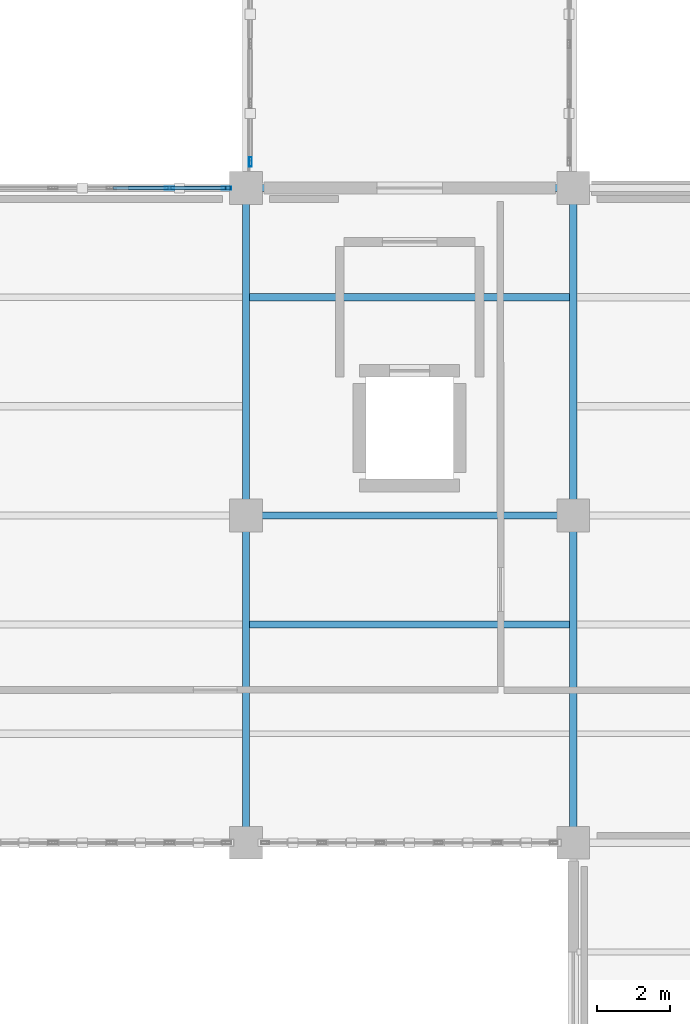
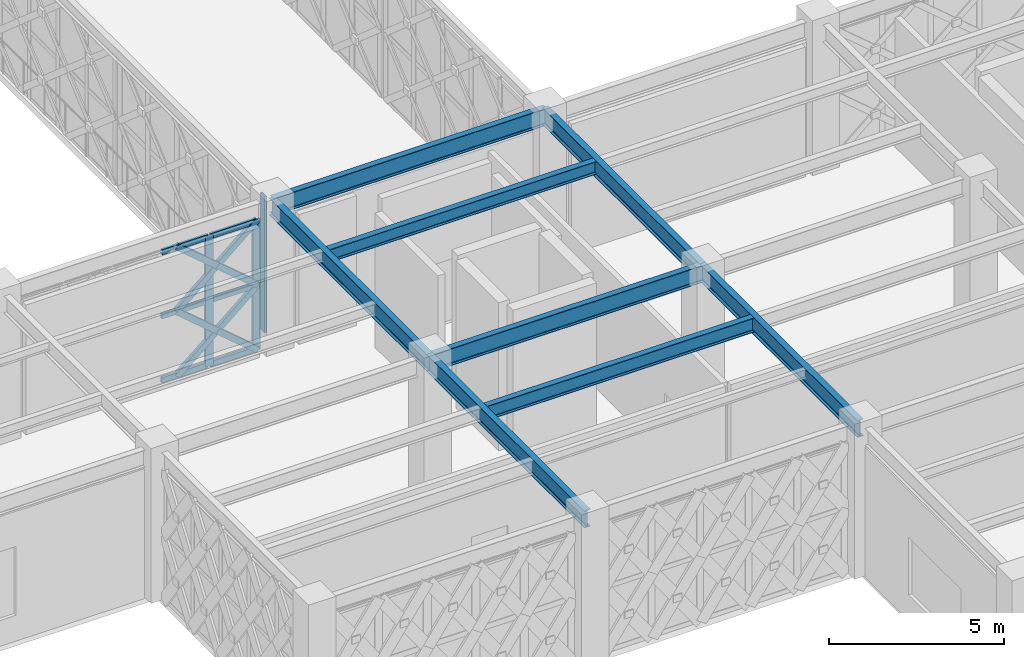
# One storey, part 17 of 166: 15 members, 8 beams, 2 elements without a shape of their own.
"""IFC4 building model written with IfcOpenShell, lengths in metres."""

from ifc_helpers import new_model, si_unit, direction, frame, origin, origin_2d, place, context, subcontext, project, spatial, hollow_rectangle, i_section, extrude, material, material_profile, profile_set, type_object, element, aggregate, save


model = new_model("IFC4")

# Units and contexts
model_context = context("Model", 3, precision=1e-05, world=origin(), true_north=direction((0.0, 1.0)))
body_context = subcontext(model_context, "Body", "Model", "MODEL_VIEW")
ifc_project = project(units=[si_unit("LENGTHUNIT", "METRE"), si_unit("AREAUNIT", "SQUARE_METRE"), si_unit("VOLUMEUNIT", "CUBIC_METRE"), si_unit("PLANEANGLEUNIT", "RADIAN"), si_unit("MASSUNIT", "GRAM", prefix="KILO")], contexts=[model_context])

# Site, building, storey
site_placement = place(None, origin())
site = spatial("IfcSite", under=ifc_project, at=site_placement, CompositionType="ELEMENT")
building_placement = place(site_placement, origin())
building = spatial("IfcBuilding", under=site, at=building_placement, Name="Haizhuo Lancet Aquarium", CompositionType="ELEMENT")
storey_placement = place(building_placement, frame((0.0, 0.0, 5.39990234375)))
storey = spatial("IfcBuildingStorey", under=building, at=storey_placement, Name="L01", CompositionType="ELEMENT", Elevation=5.39990234375)

# Beams
ifc_material_1 = material(Name="Steel S355", Category="steel")
ifc_material_profile_1 = material_profile(ifc_material_1, i_section(OverallWidth=0.199951171875, OverallDepth=0.60009765625, WebThickness=0.010986328125, FlangeThickness=0.01708984375, FilletRadius=0.02197265625, at=origin_2d()), Name="HN 600x200x11x17")
ifc_profile_set_1 = profile_set([ifc_material_profile_1], Name="Steel S355")
beam_type_1 = type_object("IfcBeamType", Name="BM-ST-HN600", PredefinedType="BEAM", material=ifc_profile_set_1)
for number, where, z_axis, x_axis, name in (
    (1, (-63.0, -27.0, 4.840087890625), (0.0, 1.0, 0.0), (-1.0, 0.0, 0.0), "L01 V6 primary girder BM-L01-V6-009"),
    (2, (-63.0, -18.0, 4.840087890625), (0.0, 1.0, 0.0), (-1.0, 0.0, 0.0), "L01 V6 primary girder BM-L01-V6-011"),
    (3, (-63.0, -18.0, 4.840087890625), (1.0, 0.0, 0.0), (0.0, 1.0, 0.0), "L01 V6 primary girder BM-L01-V6-012"),
    (4, (-63.0, -9.0, 4.840087890625), (1.0, 0.0, 0.0), (0.0, 1.0, 0.0), "L01 V6 primary girder BM-L01-V6-013"),
    (5, (-54.0, -27.0, 4.840087890625), (0.0, 1.0, 0.0), (-1.0, 0.0, 0.0), "L01 V6 primary girder BM-L01-V6-016"),
    (6, (-54.0, -18.0, 4.840087890625), (0.0, 1.0, 0.0), (-1.0, 0.0, 0.0), "L01 V6 primary girder BM-L01-V6-018"),
):
    element("IfcBeam", number, at=place(storey_placement, frame(where, z_axis=z_axis, x_axis=x_axis)), inside=storey, type_object=beam_type_1, Name=name, PredefinedType="BEAM", context=body_context, shape_type="SweptSolid", body=[
        extrude(i_section(OverallWidth=0.199951171875, OverallDepth=0.60009765625, WebThickness=0.010986328125, FlangeThickness=0.01708984375, FilletRadius=0.02197265625, at=origin_2d()), origin(), (0.0, 0.0, 1.0), 9.0),
    ])

# Curtain wall, members
ifc_material_2 = material(Name="Aluminium 6063-T6", Category="aluminium")
curtain_wall_type_1 = type_object("IfcCurtainWallType", Name="CWO-8010x4540", PredefinedType="NOTDEFINED", material=ifc_material_2)
curtain_wall_1_placement = place(storey_placement, origin())
curtain_wall_1 = element("IfcCurtainWall", 7, at=curtain_wall_1_placement, inside=storey, type_object=curtain_wall_type_1, Name="L01 curtain wall CW-V6-L01-204", PredefinedType="NOTDEFINED")
ifc_material_profile_2 = material_profile(ifc_material_2, hollow_rectangle(XDim=0.080078125, YDim=0.260009765625, WallThickness=0.0048828125, at=origin_2d()), Name="ALU-M 80x260x5")
ifc_profile_set_2 = profile_set([ifc_material_profile_2], Name="Aluminium 6063-T6")
member_type_1 = type_object("IfcMemberType", Name="CW-MUL-3", PredefinedType="MULLION", material=ifc_profile_set_2)
member_1_placement = place(storey_placement, frame((-65.096923828125, -9.0, 0.0), z_axis=(0.0, 0.0, 1.0), x_axis=(0.0, 1.0, 0.0)))
member_1 = element("IfcMember", 8, at=member_1_placement, type_object=member_type_1, Name="CWO-80x45 mullion 5", PredefinedType="MULLION", context=body_context, shape_type="SweptSolid", body=[
    extrude(hollow_rectangle(XDim=0.080078125, YDim=0.260009765625, WallThickness=0.0048828125, at=origin_2d()), origin(), (0.0, 0.0, 1.0), 4.5400390625),
])
member_2_placement = place(storey_placement, frame((-63.534912109375, -9.0, 0.0), z_axis=(0.0, 0.0, 1.0), x_axis=(0.0, 1.0, 0.0)))
member_2 = element("IfcMember", 9, at=member_2_placement, type_object=member_type_1, Name="CWO-80x45 mullion 6", PredefinedType="MULLION", context=body_context, shape_type="SweptSolid", body=[
    extrude(hollow_rectangle(XDim=0.080078125, YDim=0.260009765625, WallThickness=0.0048828125, at=origin_2d()), origin(), (0.0, 0.0, 1.0), 4.5400390625),
])

# Curtain wall, member
curtain_wall_type_2 = type_object("IfcCurtainWallType", Name="CWO-8200x4750", PredefinedType="NOTDEFINED", material=ifc_material_2)
curtain_wall_2_placement = place(storey_placement, origin())
curtain_wall_2 = element("IfcCurtainWall", 10, at=curtain_wall_2_placement, inside=storey, type_object=curtain_wall_type_2, Name="L01 curtain wall CW-SB-01-W1", PredefinedType="NOTDEFINED")
member_3_placement = place(storey_placement, frame((-62.8798828125, -8.280029296875, 0.0), z_axis=(0.0, 0.0, 1.0), x_axis=(-1.0, 0.0, 0.0)))
member_3 = element("IfcMember", 11, at=member_3_placement, type_object=member_type_1, Name="CWO-82x47 mullion 1", PredefinedType="MULLION", context=body_context, shape_type="SweptSolid", body=[
    extrude(hollow_rectangle(XDim=0.080078125, YDim=0.260009765625, WallThickness=0.0048828125, at=origin_2d()), origin(), (0.0, 0.0, 1.0), 4.75),
])
aggregate(curtain_wall_2, [member_3])

# Member
ifc_material_profile_3 = material_profile(ifc_material_2, hollow_rectangle(XDim=0.080078125, YDim=0.18994140625, WallThickness=0.0048828125, at=origin_2d()), Name="ALU-T 80x190x5")
ifc_profile_set_3 = profile_set([ifc_material_profile_3], Name="Aluminium 6063-T6")
member_type_2 = type_object("IfcMemberType", Name="CW-TRN-3", PredefinedType="NOTDEFINED", material=ifc_profile_set_3)
member_4_placement = place(storey_placement, frame((-66.658935546875, -9.0, 0.0400390625), z_axis=(1.0, 0.0, 0.0), x_axis=(0.0, 1.0, 0.0)))
member_4 = element("IfcMember", 12, at=member_4_placement, type_object=member_type_2, Name="CWO-80x45 transom 4.1", ObjectType="TRANSOM", PredefinedType="USERDEFINED", context=body_context, shape_type="SweptSolid", body=[
    extrude(hollow_rectangle(XDim=0.080078125, YDim=0.18994140625, WallThickness=0.0048828125, at=origin_2d()), origin(), (0.0, 0.0, 1.0), 1.52197265625),
])

member_5_placement = place(storey_placement, frame((-66.658935546875, -9.0, 2.27001953125), z_axis=(1.0, 0.0, 0.0), x_axis=(0.0, 1.0, 0.0)))
member_5 = element("IfcMember", 13, at=member_5_placement, type_object=member_type_2, Name="CWO-80x45 transom 4.2", ObjectType="TRANSOM", PredefinedType="USERDEFINED", context=body_context, shape_type="SweptSolid", body=[
    extrude(hollow_rectangle(XDim=0.080078125, YDim=0.18994140625, WallThickness=0.0048828125, at=origin_2d()), origin(), (0.0, 0.0, 1.0), 1.52197265625),
])

member_6_placement = place(storey_placement, frame((-66.658935546875, -9.0, 4.5), z_axis=(1.0, 0.0, 0.0), x_axis=(0.0, 1.0, 0.0)))
member_6 = element("IfcMember", 14, at=member_6_placement, type_object=member_type_2, Name="CWO-80x45 transom 4.3", ObjectType="TRANSOM", PredefinedType="USERDEFINED", context=body_context, shape_type="SweptSolid", body=[
    extrude(hollow_rectangle(XDim=0.080078125, YDim=0.18994140625, WallThickness=0.0048828125, at=origin_2d()), origin(), (0.0, 0.0, 1.0), 1.52197265625),
])

member_7_placement = place(storey_placement, frame((-65.056884765625, -9.0, 0.0400390625), z_axis=(1.0, 0.0, 0.0), x_axis=(0.0, 1.0, 0.0)))
member_7 = element("IfcMember", 15, at=member_7_placement, type_object=member_type_2, Name="CWO-80x45 transom 5.1", ObjectType="TRANSOM", PredefinedType="USERDEFINED", context=body_context, shape_type="SweptSolid", body=[
    extrude(hollow_rectangle(XDim=0.080078125, YDim=0.18994140625, WallThickness=0.0048828125, at=origin_2d()), origin(), (0.0, 0.0, 1.0), 1.48193359375),
])

member_8_placement = place(storey_placement, frame((-65.056884765625, -9.0, 2.27001953125), z_axis=(1.0, 0.0, 0.0), x_axis=(0.0, 1.0, 0.0)))
member_8 = element("IfcMember", 16, at=member_8_placement, type_object=member_type_2, Name="CWO-80x45 transom 5.2", ObjectType="TRANSOM", PredefinedType="USERDEFINED", context=body_context, shape_type="SweptSolid", body=[
    extrude(hollow_rectangle(XDim=0.080078125, YDim=0.18994140625, WallThickness=0.0048828125, at=origin_2d()), origin(), (0.0, 0.0, 1.0), 1.48193359375),
])

member_9_placement = place(storey_placement, frame((-65.056884765625, -9.0, 4.5), z_axis=(1.0, 0.0, 0.0), x_axis=(0.0, 1.0, 0.0)))
member_9 = element("IfcMember", 17, at=member_9_placement, type_object=member_type_2, Name="CWO-80x45 transom 5.3", ObjectType="TRANSOM", PredefinedType="USERDEFINED", context=body_context, shape_type="SweptSolid", body=[
    extrude(hollow_rectangle(XDim=0.080078125, YDim=0.18994140625, WallThickness=0.0048828125, at=origin_2d()), origin(), (0.0, 0.0, 1.0), 1.48193359375),
])

aggregate(curtain_wall_1, [member_1, member_2, member_4, member_5, member_6, member_7, member_8, member_9])

# Beams
ifc_material_profile_4 = material_profile(ifc_material_1, i_section(OverallWidth=0.199951171875, OverallDepth=0.449951171875, WebThickness=0.009033203125, FlangeThickness=0.013916015625, FilletRadius=0.01806640625, at=origin_2d()), Name="HN 450x200x9x14")
ifc_profile_set_4 = profile_set([ifc_material_profile_4], Name="Steel S355")
beam_type_2 = type_object("IfcBeamType", Name="JST-ST-HN450", PredefinedType="JOIST", material=ifc_profile_set_4)
beam_1_placement = place(storey_placement, frame((-62.89990234375, -12.0, 4.9150390625), z_axis=(1.0, 0.0, 0.0), x_axis=(0.0, 1.0, 0.0)))
element("IfcBeam", 18, at=beam_1_placement, inside=storey, type_object=beam_type_2, Name="L01 V6 secondary floor joist 9", PredefinedType="JOIST", context=body_context, shape_type="SweptSolid", body=[
    extrude(i_section(OverallWidth=0.199951171875, OverallDepth=0.449951171875, WebThickness=0.009033203125, FlangeThickness=0.013916015625, FilletRadius=0.01806640625, at=origin_2d()), origin(), (0.0, 0.0, 1.0), 8.7998046875),
])
ifc_material_profile_5 = material_profile(ifc_material_1, i_section(OverallWidth=0.199951171875, OverallDepth=0.5, WebThickness=0.010009765625, FlangeThickness=0.01611328125, FilletRadius=0.02001953125, at=origin_2d()), Name="HN 500x200x10x16")
ifc_profile_set_5 = profile_set([ifc_material_profile_5], Name="Steel S355")
beam_type_3 = type_object("IfcBeamType", Name="JST-ST-HN500", PredefinedType="JOIST", material=ifc_profile_set_5)
beam_2_placement = place(storey_placement, frame((-62.89990234375, -21.0, 4.89013671875), z_axis=(1.0, 0.0, 0.0), x_axis=(0.0, 1.0, 0.0)))
element("IfcBeam", 19, at=beam_2_placement, inside=storey, type_object=beam_type_3, Name="L01 V6 secondary floor joist 8", PredefinedType="JOIST", context=body_context, shape_type="SweptSolid", body=[
    extrude(i_section(OverallWidth=0.199951171875, OverallDepth=0.5, WebThickness=0.010009765625, FlangeThickness=0.01611328125, FilletRadius=0.02001953125, at=origin_2d()), origin(), (0.0, 0.0, 1.0), 8.7998046875),
])

# Members
ifc_material_profile_6 = material_profile(ifc_material_1, hollow_rectangle(XDim=0.1201171875, YDim=0.199951171875, WallThickness=0.008056640625, at=origin_2d()), Name="RHS 120x200x8")
ifc_profile_set_6 = profile_set([ifc_material_profile_6], Name="Steel S355")
member_type_3 = type_object("IfcMemberType", Name="MEM-LB-RHS120x200", PredefinedType="BRACE", material=ifc_profile_set_6)
member_10_placement = place(storey_placement, frame((-66.1650390625, -9.0, 0.0), z_axis=(0.761856805528, 0.0, 0.647745480779), x_axis=(0.0, 1.0, 0.0)))
element("IfcMember", 20, at=member_10_placement, inside=storey, type_object=member_type_3, Name="Gothic lancet continuous diagonal brace CW-V6-L01-204 5A", PredefinedType="BRACE", context=body_context, shape_type="SweptSolid", body=[
    extrude(hollow_rectangle(XDim=0.1201171875, YDim=0.199951171875, WallThickness=0.008056640625, at=origin_2d()), origin(), (0.0, 0.0, 1.0), 3.50439453125),
])
for number, where, z_axis, x_axis, name in (
    (21, (-63.4951171875, -9.0, 0.0), (-0.761856805528, 0.0, 0.647745480779), (0.0, -1.0, 0.0), "Gothic lancet split diagonal brace CW-V6-L01-204 5B1"),
    (22, (-64.830078125, -9.0, 1.135009765625), (-0.761856805528, 0.0, 0.647745480779), (0.0, -1.0, 0.0), "Gothic lancet split diagonal brace CW-V6-L01-204 5B2"),
):
    element("IfcMember", number, at=place(storey_placement, frame(where, z_axis=z_axis, x_axis=x_axis)), inside=storey, type_object=member_type_3, Name=name, PredefinedType="BRACE", context=body_context, shape_type="SweptSolid", body=[
        extrude(hollow_rectangle(XDim=0.1201171875, YDim=0.199951171875, WallThickness=0.008056640625, at=origin_2d()), origin(), (0.0, 0.0, 1.0), 1.752197265625),
    ])
member_11_placement = place(storey_placement, frame((-66.1650390625, -9.0, 2.27001953125), z_axis=(0.761856805528, 0.0, 0.647745480779), x_axis=(0.0, 1.0, 0.0)))
element("IfcMember", 23, at=member_11_placement, inside=storey, type_object=member_type_3, Name="Gothic lancet continuous diagonal brace CW-V6-L01-204 6A", PredefinedType="BRACE", context=body_context, shape_type="SweptSolid", body=[
    extrude(hollow_rectangle(XDim=0.1201171875, YDim=0.199951171875, WallThickness=0.008056640625, at=origin_2d()), origin(), (0.0, 0.0, 1.0), 3.50439453125),
])
for number, where, z_axis, x_axis, name in (
    (24, (-63.4951171875, -9.0, 2.27001953125), (-0.761856805528, 0.0, 0.647745480779), (0.0, -1.0, 0.0), "Gothic lancet split diagonal brace CW-V6-L01-204 6B1"),
    (25, (-64.830078125, -9.0, 3.405029296875), (-0.761856805528, 0.0, 0.647745480779), (0.0, -1.0, 0.0), "Gothic lancet split diagonal brace CW-V6-L01-204 6B2"),
):
    element("IfcMember", number, at=place(storey_placement, frame(where, z_axis=z_axis, x_axis=x_axis)), inside=storey, type_object=member_type_3, Name=name, PredefinedType="BRACE", context=body_context, shape_type="SweptSolid", body=[
        extrude(hollow_rectangle(XDim=0.1201171875, YDim=0.199951171875, WallThickness=0.008056640625, at=origin_2d()), origin(), (0.0, 0.0, 1.0), 1.752197265625),
    ])

save(model, "model.ifc")
